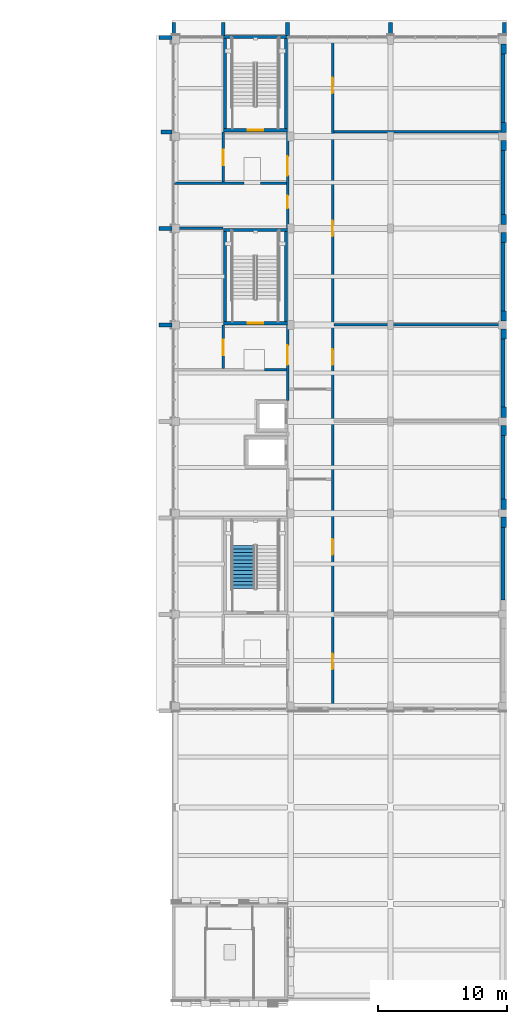
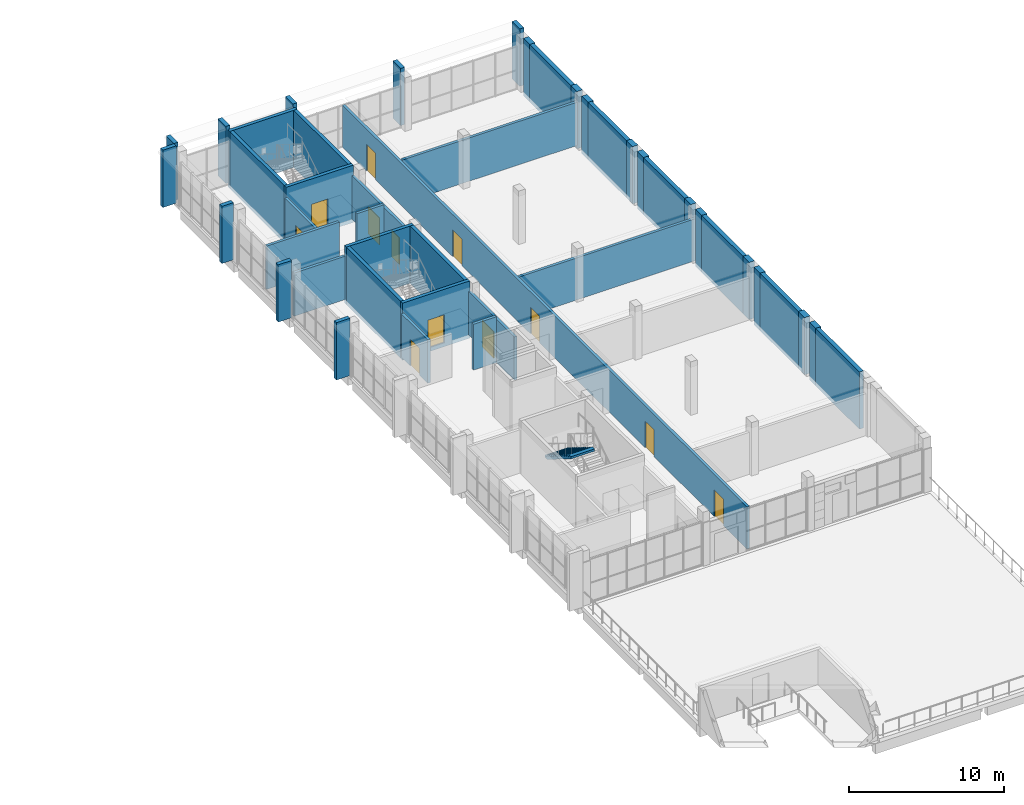
# One storey, part 30 of 42: 45 walls, 12 doors, 1 stair flight, 12 openings, 1 element without a shape of its own.
"""IFC4 building model written with IfcOpenShell, lengths in metres."""

from ifc_helpers import new_model, si_unit, direction, frame, frame_2d, origin, place, context, subcontext, project, spatial, polyline, rectangle, outline, extrude, material, layer, layer_set, type_object, element, fill, aggregate, save


model = new_model("IFC4")

# Units and contexts
model_context = context("Model", 3, precision=1e-05, world=origin(), true_north=direction((0.0, 1.0)))
body_context = subcontext(model_context, "Body", "Model", "MODEL_VIEW")
ifc_project = project(units=[si_unit("LENGTHUNIT", "METRE"), si_unit("AREAUNIT", "SQUARE_METRE"), si_unit("VOLUMEUNIT", "CUBIC_METRE"), si_unit("PLANEANGLEUNIT", "RADIAN"), si_unit("MASSUNIT", "GRAM", prefix="KILO")], contexts=[model_context])

# Site, building, storey
site_placement = place(None, origin())
site = spatial("IfcSite", under=ifc_project, at=site_placement, CompositionType="ELEMENT")
building_placement = place(site_placement, origin())
building = spatial("IfcBuilding", under=site, at=building_placement, Name="Sun Court Science Centre", CompositionType="ELEMENT")
storey_placement = place(building_placement, frame((0.0, 0.0, 20.25)))
storey = spatial("IfcBuildingStorey", under=building, at=storey_placement, Name="L04", CompositionType="ELEMENT", Elevation=20.25)

# Walls
ifc_material_1 = material(Name="Concrete C30/37", Category="concrete")
ifc_layer_1 = layer(ifc_material_1, 0.300048828125)
ifc_layer_set_1 = layer_set([ifc_layer_1], Name="Concrete C30/37")
wall_type_1 = type_object("IfcWallType", Name="Facade fin RC 300", PredefinedType="SOLIDWALL", material=ifc_layer_set_1)
for number, where, z_axis, x_axis, name in (
    (1, (77.0, 58.5, 0.0), (0.0, 0.0, 1.0), (1.0, 0.0, 0.0), "Facade fin 05 L04"),
    (2, (77.0, 66.0, 0.0), (0.0, 0.0, 1.0), (1.0, 0.0, 0.0), "Facade fin 06 L04"),
):
    element("IfcWall", number, at=place(storey_placement, frame(where, z_axis=z_axis, x_axis=x_axis)), inside=storey, type_object=wall_type_1, Name=name, PredefinedType="SOLIDWALL", context=body_context, shape_type="SweptSolid", body=[
        extrude(rectangle(XDim=1.0, YDim=0.300048828125, at=frame_2d((0.5, 0.0))), origin(), (0.0, 0.0, 1.0), 4.5),
    ])
wall_1_placement = place(storey_placement, frame((77.14990234375, 73.5, 0.0), z_axis=(0.0, 0.0, 1.0), x_axis=(1.0, 0.0, 0.0)))
element("IfcWall", 3, at=wall_1_placement, inside=storey, type_object=wall_type_1, Name="Facade fin 07 L04", PredefinedType="SOLIDWALL", context=body_context, shape_type="SweptSolid", body=[
    extrude(rectangle(XDim=0.85009765625, YDim=0.300048828125, at=frame_2d((0.425048828125, 0.0))), origin(), (0.0, 0.0, 1.0), 4.5),
])
for number, where, z_axis, x_axis, name in (
    (4, (77.0, 80.85009765625, 0.0), (0.0, 0.0, 1.0), (1.0, 0.0, 0.0), "Facade fin 08 L04"),
    (5, (78.14990234375, 81.0, 0.0), (0.0, 0.0, 1.0), (0.0, 1.0, 0.0), "Facade fin north 01 L04"),
    (6, (82.0, 81.0, 0.0), (0.0, 0.0, 1.0), (0.0, 1.0, 0.0), "Facade fin north 02 L04"),
    (7, (87.0, 81.0, 0.0), (0.0, 0.0, 1.0), (0.0, 1.0, 0.0), "Facade fin north 03 L04"),
    (8, (95.0, 81.0, 0.0), (0.0, 0.0, 1.0), (0.0, 1.0, 0.0), "Facade fin north 04 L04"),
    (9, (103.85009765625, 81.0, 0.0), (0.0, 0.0, 1.0), (0.0, 1.0, 0.0), "Facade fin north 05 L04"),
):
    element("IfcWall", number, at=place(storey_placement, frame(where, z_axis=z_axis, x_axis=x_axis)), inside=storey, type_object=wall_type_1, Name=name, PredefinedType="SOLIDWALL", context=body_context, shape_type="SweptSolid", body=[
        extrude(rectangle(XDim=1.0, YDim=0.300048828125, at=frame_2d((0.5, 0.0))), origin(), (0.0, 0.0, 1.0), 4.5),
    ])
ifc_material_2 = material(Name="Gypsum board")
ifc_layer_2 = layer(ifc_material_2, 0.199951171875)
ifc_layer_set_2 = layer_set([ifc_layer_2], Name="Gypsum board")
wall_type_2 = type_object("IfcWallType", Name="Partition 200 acoustic double stud", PredefinedType="PARTITIONING", material=ifc_layer_set_2)
wall_2_placement = place(storey_placement, frame((90.60009765625, 58.5, 0.0), z_axis=(0.0, 0.0, 1.0), x_axis=(1.0, 0.0, 0.0)))
element("IfcWall", 10, at=wall_2_placement, inside=storey, type_object=wall_type_2, Name="L04 partition 010", PredefinedType="PARTITIONING", context=body_context, shape_type="SweptSolid", body=[
    extrude(rectangle(XDim=13.199951171875, YDim=0.199951171875, at=frame_2d((6.60009765625, 0.0))), origin(), (0.0, 0.0, 1.0), 3.300048828125),
])
wall_3_placement = place(storey_placement, frame((90.60009765625, 73.5, 0.0), z_axis=(0.0, 0.0, 1.0), x_axis=(1.0, 0.0, 0.0)))
element("IfcWall", 11, at=wall_3_placement, inside=storey, type_object=wall_type_2, Name="L04 partition 014", PredefinedType="PARTITIONING", context=body_context, shape_type="SweptSolid", body=[
    extrude(rectangle(XDim=12.997802734375, YDim=0.199951171875, at=frame_2d((6.4990234375, 0.0))), origin(), (0.0, 0.0, 1.0), 3.39990234375),
])
ifc_material_3 = material(Name="Concrete block", Category="concrete")
ifc_layer_3 = layer(ifc_material_3, 0.199951171875)
ifc_layer_set_3 = layer_set([ifc_layer_3], Name="Concrete block")
wall_type_3 = type_object("IfcWallType", Name="Partition 200 block EI60", PredefinedType="PARTITIONING", material=ifc_layer_set_3)
wall_4_placement = place(storey_placement, frame((85.199951171875, 55.0, 0.0), z_axis=(0.0, 0.0, 1.0), x_axis=(1.0, 0.0, 0.0)))
element("IfcWall", 12, at=wall_4_placement, inside=storey, type_object=wall_type_3, Name="L04 partition 009", PredefinedType="PARTITIONING", context=body_context, shape_type="SweptSolid", body=[
    extrude(rectangle(XDim=1.699951171875, YDim=0.199951171875, at=frame_2d((0.85009765625, 0.0))), origin(), (0.0, 0.0, 1.0), 3.60009765625),
])
wall_5_placement = place(storey_placement, frame((78.199951171875, 69.5, 0.0), z_axis=(0.0, 0.0, 1.0), x_axis=(1.0, 0.0, 0.0)))
element("IfcWall", 13, at=wall_5_placement, inside=storey, type_object=wall_type_3, Name="L04 partition 012", PredefinedType="PARTITIONING", context=body_context, shape_type="SweptSolid", body=[
    extrude(rectangle(XDim=5.400146484375, YDim=0.199951171875, at=frame_2d((2.7001953125, 0.0))), origin(), (0.0, 0.0, 1.0), 3.39990234375),
])
wall_6_placement = place(storey_placement, frame((84.89990234375, 69.5, 0.0), z_axis=(0.0, 0.0, 1.0), x_axis=(1.0, 0.0, 0.0)))
element("IfcWall", 14, at=wall_6_placement, inside=storey, type_object=wall_type_3, Name="L04 partition 013", PredefinedType="PARTITIONING", context=body_context, shape_type="SweptSolid", body=[
    extrude(rectangle(XDim=2.0, YDim=0.199951171875, at=frame_2d((1.0, 0.0))), origin(), (0.0, 0.0, 1.0), 3.60009765625),
])

# Wall, opening, door
wall_7_placement = place(storey_placement, frame((82.0, 55.10009765625, 0.0), z_axis=(0.0, 0.0, 1.0), x_axis=(0.0, 1.0, 0.0)))
wall_7 = element("IfcWall", 15, at=wall_7_placement, inside=storey, type_object=wall_type_3, Name="L04 partition 022", PredefinedType="PARTITIONING", context=body_context, shape_type="SweptSolid", body=[
    extrude(rectangle(XDim=3.39794921875, YDim=0.199951171875, at=frame_2d((1.698974609375, 0.0))), origin(), (0.0, 0.0, 1.0), 3.39990234375),
])
opening_1_placement = place(wall_7_placement, frame((1.051025390625, 0.0, 0.0)))
opening_1 = element("IfcOpeningElement", 16, at=opening_1_placement, cuts=wall_7, Name="Opening D-L04-014", PredefinedType="OPENING", context=body_context, shape_type="SweptSolid", body=[
    extrude(rectangle(XDim=1.199951171875, YDim=2.10009765625, at=frame_2d((0.60009765625, 1.050048828125))), frame((0.0, 0.10986328125, 0.0), z_axis=(0.0, -1.0, 0.0), x_axis=(1.0, 0.0, 0.0)), (0.0, 0.0, 1.0), 0.219970703125),
])
ifc_material_4 = material(Name="Timber", Category="wood")
door_type_1 = type_object("IfcDoorType", Name="Door 1200x2100 single leaf", OperationType="NOTDEFINED", PredefinedType="DOOR", material=ifc_material_4)
door_1_placement = place(opening_1_placement, origin())
door_1 = element("IfcDoor", 17, at=door_1_placement, inside=storey, type_object=door_type_1, Name="Door D-L04-014", OperationType="SINGLE_SWING_RIGHT", OverallHeight=2.10009765625, OverallWidth=1.199951171875, PredefinedType="DOOR", context=body_context, shape_type="SweptSolid", body=[
    extrude(rectangle(XDim=1.199951171875, YDim=2.10009765625, at=frame_2d((0.60009765625, 1.050048828125))), frame((0.0, 0.02490234375, 0.0), z_axis=(0.0, -1.0, 0.0), x_axis=(1.0, 0.0, 0.0)), (0.0, 0.0, 1.0), 0.050048828125),
])
fill(opening_1, door_1)

wall_8_placement = place(storey_placement, frame((82.0, 69.60009765625, 0.0), z_axis=(0.0, 0.0, 1.0), x_axis=(0.0, 1.0, 0.0)))
wall_8 = element("IfcWall", 18, at=wall_8_placement, inside=storey, type_object=wall_type_3, Name="L04 partition 023", PredefinedType="PARTITIONING", context=body_context, shape_type="SweptSolid", body=[
    extrude(rectangle(XDim=3.89794921875, YDim=0.199951171875, at=frame_2d((1.948974609375, 0.0))), origin(), (0.0, 0.0, 1.0), 3.39990234375),
])
opening_2_placement = place(wall_8_placement, frame((1.301025390625, 0.0, 0.0)))
opening_2 = element("IfcOpeningElement", 19, at=opening_2_placement, cuts=wall_8, Name="Opening D-L04-016", PredefinedType="OPENING", context=body_context, shape_type="SweptSolid", body=[
    extrude(rectangle(XDim=1.199951171875, YDim=2.10009765625, at=frame_2d((0.60009765625, 1.050048828125))), frame((0.0, 0.10986328125, 0.0), z_axis=(0.0, -1.0, 0.0), x_axis=(1.0, 0.0, 0.0)), (0.0, 0.0, 1.0), 0.219970703125),
])
door_2_placement = place(opening_2_placement, origin())
door_2 = element("IfcDoor", 20, at=door_2_placement, inside=storey, type_object=door_type_1, Name="Door D-L04-016", OperationType="SINGLE_SWING_RIGHT", OverallHeight=2.10009765625, OverallWidth=1.199951171875, PredefinedType="DOOR", context=body_context, shape_type="SweptSolid", body=[
    extrude(rectangle(XDim=1.199951171875, YDim=2.10009765625, at=frame_2d((0.60009765625, 1.050048828125))), frame((0.0, 0.02490234375, 0.0), z_axis=(0.0, -1.0, 0.0), x_axis=(1.0, 0.0, 0.0)), (0.0, 0.0, 1.0), 0.050048828125),
])
fill(opening_2, door_2)

# Wall, openings, doors
ifc_material_5 = material(Name="Concrete block", Category="concrete")
ifc_layer_4 = layer(ifc_material_5, 0.199951171875)
ifc_layer_set_4 = layer_set([ifc_layer_4], Name="Concrete block")
wall_type_4 = type_object("IfcWallType", Name="Partition 200 corridor block EI120", PredefinedType="PARTITIONING", material=ifc_layer_set_4)
wall_9_placement = place(storey_placement, frame((90.5, 80.800048828125, 0.0), z_axis=(0.0, 0.0, 1.0), x_axis=(0.0, -1.0, 0.0)))
wall_9 = element("IfcWall", 21, at=wall_9_placement, inside=storey, type_object=wall_type_4, Name="L04 partition 015", PredefinedType="PARTITIONING", context=body_context, shape_type="SweptSolid", body=[
    extrude(rectangle(XDim=52.10009765625, YDim=0.199951171875, at=frame_2d((26.050048828125, 0.0))), origin(), (0.0, 0.0, 1.0), 3.300048828125),
])
opening_3_placement = place(wall_9_placement, frame((47.85009765625, 0.0, 0.0)))
opening_3 = element("IfcOpeningElement", 22, at=opening_3_placement, cuts=wall_9, Name="Opening D-L04-017", PredefinedType="OPENING", context=body_context, shape_type="SweptSolid", body=[
    extrude(rectangle(XDim=1.199951171875, YDim=2.10009765625, at=frame_2d((0.60009765625, 1.050048828125))), frame((0.0, 0.10986328125, 0.0), z_axis=(0.0, -1.0, 0.0), x_axis=(1.0, 0.0, 0.0)), (0.0, 0.0, 1.0), 0.219970703125),
])
opening_4_placement = place(wall_9_placement, frame((38.948974609375, 0.0, 0.0)))
opening_4 = element("IfcOpeningElement", 23, at=opening_4_placement, cuts=wall_9, Name="Opening D-L04-018", PredefinedType="OPENING", context=body_context, shape_type="SweptSolid", body=[
    extrude(rectangle(XDim=1.199951171875, YDim=2.10009765625, at=frame_2d((0.60009765625, 1.050048828125))), frame((0.0, 0.10986328125, 0.0), z_axis=(0.0, -1.0, 0.0), x_axis=(1.0, 0.0, 0.0)), (0.0, 0.0, 1.0), 0.219970703125),
])
opening_5_placement = place(wall_9_placement, frame((24.200927734375, 0.0, 0.0)))
opening_5 = element("IfcOpeningElement", 24, at=opening_5_placement, cuts=wall_9, Name="Opening D-L04-019", PredefinedType="OPENING", context=body_context, shape_type="SweptSolid", body=[
    extrude(rectangle(XDim=1.199951171875, YDim=2.10009765625, at=frame_2d((0.60009765625, 1.050048828125))), frame((0.0, 0.10986328125, 0.0), z_axis=(0.0, -1.0, 0.0), x_axis=(1.0, 0.0, 0.0)), (0.0, 0.0, 1.0), 0.219970703125),
])
opening_6_placement = place(wall_9_placement, frame((14.199951171875, 0.0, 0.0)))
opening_6 = element("IfcOpeningElement", 25, at=opening_6_placement, cuts=wall_9, Name="Opening D-L04-020", PredefinedType="OPENING", context=body_context, shape_type="SweptSolid", body=[
    extrude(rectangle(XDim=1.199951171875, YDim=2.10009765625, at=frame_2d((0.60009765625, 1.050048828125))), frame((0.0, 0.10986328125, 0.0), z_axis=(0.0, -1.0, 0.0), x_axis=(1.0, 0.0, 0.0)), (0.0, 0.0, 1.0), 0.219970703125),
])
opening_7_placement = place(wall_9_placement, frame((3.074951171875, 0.0, 0.0)))
opening_7 = element("IfcOpeningElement", 26, at=opening_7_placement, cuts=wall_9, Name="Opening D-L04-021", PredefinedType="OPENING", context=body_context, shape_type="SweptSolid", body=[
    extrude(rectangle(XDim=1.199951171875, YDim=2.10009765625, at=frame_2d((0.60009765625, 1.050048828125))), frame((0.0, 0.10986328125, 0.0), z_axis=(0.0, -1.0, 0.0), x_axis=(1.0, 0.0, 0.0)), (0.0, 0.0, 1.0), 0.219970703125),
])
ifc_material_6 = material(Name="Steel", Category="steel")
door_type_2 = type_object("IfcDoorType", Name="Door 1200x2100 single leaf FD60", OperationType="NOTDEFINED", PredefinedType="DOOR", material=ifc_material_6)
door_3_placement = place(opening_3_placement, origin())
door_3 = element("IfcDoor", 27, at=door_3_placement, inside=storey, type_object=door_type_2, Name="Door D-L04-017", OperationType="SINGLE_SWING_LEFT", OverallHeight=2.10009765625, OverallWidth=1.199951171875, PredefinedType="DOOR", context=body_context, shape_type="SweptSolid", body=[
    extrude(rectangle(XDim=1.199951171875, YDim=2.10009765625, at=frame_2d((0.60009765625, 1.050048828125))), frame((0.0, 0.02490234375, 0.0), z_axis=(0.0, -1.0, 0.0), x_axis=(1.0, 0.0, 0.0)), (0.0, 0.0, 1.0), 0.050048828125),
])
fill(opening_3, door_3)
door_4_placement = place(opening_4_placement, origin())
door_4 = element("IfcDoor", 28, at=door_4_placement, inside=storey, type_object=door_type_2, Name="Door D-L04-018", OperationType="SINGLE_SWING_LEFT", OverallHeight=2.10009765625, OverallWidth=1.199951171875, PredefinedType="DOOR", context=body_context, shape_type="SweptSolid", body=[
    extrude(rectangle(XDim=1.199951171875, YDim=2.10009765625, at=frame_2d((0.60009765625, 1.050048828125))), frame((0.0, 0.02490234375, 0.0), z_axis=(0.0, -1.0, 0.0), x_axis=(1.0, 0.0, 0.0)), (0.0, 0.0, 1.0), 0.050048828125),
])
fill(opening_4, door_4)
door_5_placement = place(opening_5_placement, origin())
door_5 = element("IfcDoor", 29, at=door_5_placement, inside=storey, type_object=door_type_2, Name="Door D-L04-019", OperationType="SINGLE_SWING_RIGHT", OverallHeight=2.10009765625, OverallWidth=1.199951171875, PredefinedType="DOOR", context=body_context, shape_type="SweptSolid", body=[
    extrude(rectangle(XDim=1.199951171875, YDim=2.10009765625, at=frame_2d((0.60009765625, 1.050048828125))), frame((0.0, 0.02490234375, 0.0), z_axis=(0.0, -1.0, 0.0), x_axis=(1.0, 0.0, 0.0)), (0.0, 0.0, 1.0), 0.050048828125),
])
fill(opening_5, door_5)
door_6_placement = place(opening_6_placement, origin())
door_6 = element("IfcDoor", 30, at=door_6_placement, inside=storey, type_object=door_type_2, Name="Door D-L04-020", OperationType="SINGLE_SWING_RIGHT", OverallHeight=2.10009765625, OverallWidth=1.199951171875, PredefinedType="DOOR", context=body_context, shape_type="SweptSolid", body=[
    extrude(rectangle(XDim=1.199951171875, YDim=2.10009765625, at=frame_2d((0.60009765625, 1.050048828125))), frame((0.0, 0.02490234375, 0.0), z_axis=(0.0, -1.0, 0.0), x_axis=(1.0, 0.0, 0.0)), (0.0, 0.0, 1.0), 0.050048828125),
])
fill(opening_6, door_6)
door_7_placement = place(opening_7_placement, origin())
door_7 = element("IfcDoor", 31, at=door_7_placement, inside=storey, type_object=door_type_2, Name="Door D-L04-021", OperationType="SINGLE_SWING_RIGHT", OverallHeight=2.10009765625, OverallWidth=1.199951171875, PredefinedType="DOOR", context=body_context, shape_type="SweptSolid", body=[
    extrude(rectangle(XDim=1.199951171875, YDim=2.10009765625, at=frame_2d((0.60009765625, 1.050048828125))), frame((0.0, 0.02490234375, 0.0), z_axis=(0.0, -1.0, 0.0), x_axis=(1.0, 0.0, 0.0)), (0.0, 0.0, 1.0), 0.050048828125),
])
fill(opening_7, door_7)

# Wall, opening, door
wall_10_placement = place(storey_placement, frame((87.0, 52.614501953125, 0.0), z_axis=(0.0, 0.0, 1.0), x_axis=(0.0, 1.0, 0.0)))
wall_10 = element("IfcWall", 32, at=wall_10_placement, inside=storey, type_object=wall_type_4, Name="L04 partition 019", PredefinedType="PARTITIONING", context=body_context, shape_type="SweptSolid", body=[
    extrude(rectangle(XDim=5.883544921875, YDim=0.199951171875, at=frame_2d((2.94189453125, 0.0))), origin(), (0.0, 0.0, 1.0), 3.39990234375),
])
opening_8_placement = place(wall_10_placement, frame((2.785400390625, 0.0, 0.0)))
opening_8 = element("IfcOpeningElement", 33, at=opening_8_placement, cuts=wall_10, Name="Opening D-L04-008", PredefinedType="OPENING", context=body_context, shape_type="SweptSolid", body=[
    extrude(rectangle(XDim=1.5, YDim=2.10009765625, at=frame_2d((0.75, 1.050048828125))), frame((0.0, 0.10986328125, 0.0), z_axis=(0.0, -1.0, 0.0), x_axis=(1.0, 0.0, 0.0)), (0.0, 0.0, 1.0), 0.219970703125),
])
ifc_material_7 = material(Name="Steel", Category="steel")
door_type_3 = type_object("IfcDoorType", Name="Door 1500x2100 double leaf FD60", OperationType="DOUBLE_DOOR_SINGLE_SWING", PredefinedType="DOOR", material=ifc_material_7)
door_8_placement = place(opening_8_placement, origin())
door_8 = element("IfcDoor", 34, at=door_8_placement, inside=storey, type_object=door_type_3, Name="Door D-L04-008", OperationType="DOUBLE_DOOR_SINGLE_SWING", OverallHeight=2.10009765625, OverallWidth=1.5, PredefinedType="DOOR", context=body_context, shape_type="SweptSolid", body=[
    extrude(rectangle(XDim=1.5, YDim=2.10009765625, at=frame_2d((0.75, 1.050048828125))), frame((0.0, 0.02490234375, 0.0), z_axis=(0.0, -1.0, 0.0), x_axis=(1.0, 0.0, 0.0)), (0.0, 0.0, 1.0), 0.050048828125),
])
fill(opening_8, door_8)

# Wall, openings, doors
wall_11_placement = place(storey_placement, frame((87.0, 66.001953125, 0.0), z_axis=(0.0, 0.0, 1.0), x_axis=(0.0, 1.0, 0.0)))
wall_11 = element("IfcWall", 35, at=wall_11_placement, inside=storey, type_object=wall_type_4, Name="L04 partition 020", PredefinedType="PARTITIONING", context=body_context, shape_type="SweptSolid", body=[
    extrude(rectangle(XDim=7.49609375, YDim=0.199951171875, at=frame_2d((3.748046875, 0.0))), origin(), (0.0, 0.0, 1.0), 3.39990234375),
])
opening_9_placement = place(wall_11_placement, frame((4.097900390625, 0.0, 0.0)))
opening_9 = element("IfcOpeningElement", 36, at=opening_9_placement, cuts=wall_11, Name="Opening D-L04-010", PredefinedType="OPENING", context=body_context, shape_type="SweptSolid", body=[
    extrude(rectangle(XDim=1.5, YDim=2.10009765625, at=frame_2d((0.75, 1.050048828125))), frame((0.0, 0.10986328125, 0.0), z_axis=(0.0, -1.0, 0.0), x_axis=(1.0, 0.0, 0.0)), (0.0, 0.0, 1.0), 0.219970703125),
])
opening_10_placement = place(wall_11_placement, frame((1.548095703125, 0.0, 0.0)))
opening_10 = element("IfcOpeningElement", 37, at=opening_10_placement, cuts=wall_11, Name="Opening D-L04-015", PredefinedType="OPENING", context=body_context, shape_type="SweptSolid", body=[
    extrude(rectangle(XDim=1.0, YDim=2.10009765625, at=frame_2d((0.5, 1.050048828125))), frame((0.0, 0.10986328125, 0.0), z_axis=(0.0, -1.0, 0.0), x_axis=(1.0, 0.0, 0.0)), (0.0, 0.0, 1.0), 0.219970703125),
])
ifc_material_8 = material(Name="Steel", Category="steel")
door_type_4 = type_object("IfcDoorType", Name="Door 1000x2100 single leaf FD30S", OperationType="NOTDEFINED", PredefinedType="DOOR", material=ifc_material_8)
door_9_placement = place(opening_10_placement, origin())
door_9 = element("IfcDoor", 38, at=door_9_placement, inside=storey, type_object=door_type_4, Name="Door D-L04-015", OperationType="SINGLE_SWING_RIGHT", OverallHeight=2.10009765625, OverallWidth=1.0, PredefinedType="DOOR", context=body_context, shape_type="SweptSolid", body=[
    extrude(rectangle(XDim=1.0, YDim=2.10009765625, at=frame_2d((0.5, 1.050048828125))), frame((0.0, 0.02490234375, 0.0), z_axis=(0.0, -1.0, 0.0), x_axis=(1.0, 0.0, 0.0)), (0.0, 0.0, 1.0), 0.050048828125),
])
fill(opening_10, door_9)
door_10_placement = place(opening_9_placement, origin())
door_10 = element("IfcDoor", 39, at=door_10_placement, inside=storey, type_object=door_type_3, Name="Door D-L04-010", OperationType="DOUBLE_DOOR_SINGLE_SWING", OverallHeight=2.10009765625, OverallWidth=1.5, PredefinedType="DOOR", context=body_context, shape_type="SweptSolid", body=[
    extrude(rectangle(XDim=1.5, YDim=2.10009765625, at=frame_2d((0.75, 1.050048828125))), frame((0.0, 0.02490234375, 0.0), z_axis=(0.0, -1.0, 0.0), x_axis=(1.0, 0.0, 0.0)), (0.0, 0.0, 1.0), 0.050048828125),
])
fill(opening_9, door_10)

# Walls
ifc_material_9 = material(Name="Gypsum board")
ifc_layer_5 = layer(ifc_material_9, 0.199951171875)
ifc_layer_set_5 = layer_set([ifc_layer_5], Name="Gypsum board")
wall_type_5 = type_object("IfcWallType", Name="Partition 200 stud EI30", PredefinedType="PARTITIONING", material=ifc_layer_set_5)
wall_12_placement = place(storey_placement, frame((78.199951171875, 66.0, 0.0), z_axis=(0.0, 0.0, 1.0), x_axis=(1.0, 0.0, 0.0)))
element("IfcWall", 40, at=wall_12_placement, inside=storey, type_object=wall_type_5, Name="L04 partition 011", PredefinedType="PARTITIONING", context=body_context, shape_type="SweptSolid", body=[
    extrude(rectangle(XDim=3.798095703125, YDim=0.199951171875, at=frame_2d((1.89892578125, 0.0))), origin(), (0.0, 0.0, 1.0), 3.39990234375),
])
ifc_material_10 = material(Name="Concrete C30/37", Category="concrete")
ifc_layer_6 = layer(ifc_material_10, 0.39990234375)
ifc_layer_set_6 = layer_set([ifc_layer_6], Name="Concrete C30/37")
wall_type_6 = type_object("IfcWallType", Name="RC party wall exterior 400", PredefinedType="SOLIDWALL", material=ifc_layer_set_6)
for number, where, z_axis, x_axis, name in (
    (41, (103.800048828125, 42.75, -0.300048828125), (0.0, 0.0, 1.0), (0.0, 1.0, 0.0), "East party wall L04"),
    (42, (103.800048828125, 44.14990234375, -0.300048828125), (0.0, 0.0, 1.0), (0.0, 1.0, 0.0), "East party wall L04"),
    (43, (103.800048828125, 49.89990234375, -0.300048828125), (0.0, 0.0, 1.0), (0.0, 1.0, 0.0), "East party wall L04"),
    (44, (103.800048828125, 51.300048828125, -0.300048828125), (0.0, 0.0, 1.0), (0.0, 1.0, 0.0), "East party wall L04"),
    (45, (103.800048828125, 57.39990234375, -0.300048828125), (0.0, 0.0, 1.0), (0.0, 1.0, 0.0), "East party wall L04"),
    (46, (103.800048828125, 58.800048828125, -0.300048828125), (0.0, 0.0, 1.0), (0.0, 1.0, 0.0), "East party wall L04"),
    (47, (103.800048828125, 64.89990234375, -0.300048828125), (0.0, 0.0, 1.0), (0.0, 1.0, 0.0), "East party wall L04"),
    (48, (103.800048828125, 66.300048828125, -0.300048828125), (0.0, 0.0, 1.0), (0.0, 1.0, 0.0), "East party wall L04"),
    (49, (103.800048828125, 72.050048828125, -0.300048828125), (0.0, 0.0, 1.0), (0.0, 1.0, 0.0), "East party wall L04"),
    (50, (103.800048828125, 73.449951171875, -0.300048828125), (0.0, 0.0, 1.0), (0.0, 1.0, 0.0), "East party wall L04"),
    (51, (103.800048828125, 79.550048828125, -0.300048828125), (0.0, 0.0, 1.0), (0.0, 1.0, 0.0), "East party wall L04"),
):
    element("IfcWall", number, at=place(storey_placement, frame(where, z_axis=z_axis, x_axis=x_axis)), inside=storey, type_object=wall_type_6, Name=name, PredefinedType="SOLIDWALL", context=body_context, shape_type="SweptSolid", body=[
        extrude(rectangle(XDim=0.800048828125, YDim=0.39990234375, at=frame_2d((0.39990234375, 0.0))), origin(), (0.0, 0.0, 1.0), 4.5),
    ])
ifc_material_11 = material(Name="Concrete C30/37", Category="concrete")
ifc_layer_7 = layer(ifc_material_11, 0.300048828125)
ifc_layer_set_7 = layer_set([ifc_layer_7], Name="Concrete C30/37")
wall_type_7 = type_object("IfcWallType", Name="RC party wall panel exterior 300", PredefinedType="SOLIDWALL", material=ifc_layer_set_7)
wall_13_placement = place(storey_placement, frame((103.75, 37.10009765625, -0.300048828125), z_axis=(0.0, 0.0, 1.0), x_axis=(0.0, 1.0, 0.0)))
element("IfcWall", 52, at=wall_13_placement, inside=storey, type_object=wall_type_7, Name="East party wall L04 panel", PredefinedType="SOLIDWALL", context=body_context, shape_type="SweptSolid", body=[
    extrude(rectangle(XDim=5.64990234375, YDim=0.300048828125, at=frame_2d((2.824951171875, 0.0))), origin(), (0.0, 0.0, 1.0), 4.5),
])
wall_14_placement = place(storey_placement, frame((103.75, 44.949951171875, -0.300048828125), z_axis=(0.0, 0.0, 1.0), x_axis=(0.0, 1.0, 0.0)))
element("IfcWall", 53, at=wall_14_placement, inside=storey, type_object=wall_type_7, Name="East party wall L04 panel", PredefinedType="SOLIDWALL", context=body_context, shape_type="SweptSolid", body=[
    extrude(rectangle(XDim=4.949951171875, YDim=0.300048828125, at=frame_2d((2.47509765625, 0.0))), origin(), (0.0, 0.0, 1.0), 4.5),
])
for number, where, z_axis, x_axis, name in (
    (54, (103.75, 52.10009765625, -0.300048828125), (0.0, 0.0, 1.0), (0.0, 1.0, 0.0), "East party wall L04 panel"),
    (55, (103.75, 59.60009765625, -0.300048828125), (0.0, 0.0, 1.0), (0.0, 1.0, 0.0), "East party wall L04 panel"),
):
    element("IfcWall", number, at=place(storey_placement, frame(where, z_axis=z_axis, x_axis=x_axis)), inside=storey, type_object=wall_type_7, Name=name, PredefinedType="SOLIDWALL", context=body_context, shape_type="SweptSolid", body=[
        extrude(rectangle(XDim=5.2998046875, YDim=0.300048828125, at=frame_2d((2.64990234375, 0.0))), origin(), (0.0, 0.0, 1.0), 4.5),
    ])
wall_15_placement = place(storey_placement, frame((103.75, 67.10009765625, -0.300048828125), z_axis=(0.0, 0.0, 1.0), x_axis=(0.0, 1.0, 0.0)))
element("IfcWall", 56, at=wall_15_placement, inside=storey, type_object=wall_type_7, Name="East party wall L04 panel", PredefinedType="SOLIDWALL", context=body_context, shape_type="SweptSolid", body=[
    extrude(rectangle(XDim=4.949951171875, YDim=0.300048828125, at=frame_2d((2.47509765625, 0.0))), origin(), (0.0, 0.0, 1.0), 4.5),
])
wall_16_placement = place(storey_placement, frame((103.75, 74.25, -0.300048828125), z_axis=(0.0, 0.0, 1.0), x_axis=(0.0, 1.0, 0.0)))
element("IfcWall", 57, at=wall_16_placement, inside=storey, type_object=wall_type_7, Name="East party wall L04 panel", PredefinedType="SOLIDWALL", context=body_context, shape_type="SweptSolid", body=[
    extrude(rectangle(XDim=5.300048828125, YDim=0.300048828125, at=frame_2d((2.64990234375, 0.0))), origin(), (0.0, 0.0, 1.0), 4.5),
])

# Wall, opening, door
ifc_material_12 = material(Name="Concrete C30/37", Category="concrete")
ifc_layer_8 = layer(ifc_material_12, 0.25)
ifc_layer_set_8 = layer_set([ifc_layer_8], Name="Concrete C30/37")
wall_type_8 = type_object("IfcWallType", Name="RC stair core wall 250", PredefinedType="SHEAR", material=ifc_layer_set_8)
wall_17_placement = place(storey_placement, frame((82.0, 58.625, -0.300048828125), z_axis=(0.0, 0.0, 1.0), x_axis=(1.0, 0.0, 0.0)))
wall_17 = element("IfcWall", 58, at=wall_17_placement, inside=storey, type_object=wall_type_8, Name="Stair core SL3 wall S, L04", PredefinedType="SHEAR", context=body_context, shape_type="SweptSolid", body=[
    extrude(rectangle(XDim=5.0, YDim=0.25, at=frame_2d((2.5, 0.0))), origin(), (0.0, 0.0, 1.0), 4.5),
])
opening_11_placement = place(wall_17_placement, frame((1.89990234375, 0.0, 0.300048828125)))
opening_11 = element("IfcOpeningElement", 59, at=opening_11_placement, cuts=wall_17, Name="Opening D-L04-007", PredefinedType="OPENING", context=body_context, shape_type="SweptSolid", body=[
    extrude(rectangle(XDim=1.199951171875, YDim=2.199951171875, at=frame_2d((0.60009765625, 1.10009765625))), frame((0.0, 0.135009765625, 0.0), z_axis=(0.0, -1.0, 0.0), x_axis=(1.0, 0.0, 0.0)), (0.0, 0.0, 1.0), 0.27001953125),
])
ifc_material_13 = material(Name="Steel", Category="steel")
door_type_5 = type_object("IfcDoorType", Name="Door 1200x2200 single leaf FD60", OperationType="NOTDEFINED", PredefinedType="DOOR", material=ifc_material_13)
door_11_placement = place(opening_11_placement, origin())
door_11 = element("IfcDoor", 60, at=door_11_placement, inside=storey, type_object=door_type_5, Name="Door D-L04-007", OperationType="SINGLE_SWING_LEFT", OverallHeight=2.199951171875, OverallWidth=1.199951171875, PredefinedType="DOOR", context=body_context, shape_type="SweptSolid", body=[
    extrude(rectangle(XDim=1.199951171875, YDim=2.199951171875, at=frame_2d((0.60009765625, 1.10009765625))), frame((0.0, 0.02490234375, 0.0), z_axis=(0.0, -1.0, 0.0), x_axis=(1.0, 0.0, 0.0)), (0.0, 0.0, 1.0), 0.050048828125),
])
fill(opening_11, door_11)

# Walls
wall_18_placement = place(storey_placement, frame((86.875, 58.75, -0.300048828125), z_axis=(0.0, 0.0, 1.0), x_axis=(0.0, 1.0, 0.0)))
element("IfcWall", 61, at=wall_18_placement, inside=storey, type_object=wall_type_8, Name="Stair core SL3 wall E, L04", PredefinedType="SHEAR", context=body_context, shape_type="SweptSolid", body=[
    extrude(rectangle(XDim=7.0, YDim=0.25, at=frame_2d((3.5, 0.0))), origin(), (0.0, 0.0, 1.0), 4.5),
])
wall_19_placement = place(storey_placement, frame((82.0, 65.875, -0.300048828125), z_axis=(0.0, 0.0, 1.0), x_axis=(1.0, 0.0, 0.0)))
element("IfcWall", 62, at=wall_19_placement, inside=storey, type_object=wall_type_8, Name="Stair core SL3 wall N, L04", PredefinedType="SHEAR", context=body_context, shape_type="SweptSolid", body=[
    extrude(rectangle(XDim=5.0, YDim=0.25, at=frame_2d((2.5, 0.0))), origin(), (0.0, 0.0, 1.0), 4.5),
])
wall_20_placement = place(storey_placement, frame((82.125, 58.75, -0.300048828125), z_axis=(0.0, 0.0, 1.0), x_axis=(0.0, 1.0, 0.0)))
element("IfcWall", 63, at=wall_20_placement, inside=storey, type_object=wall_type_8, Name="Stair core SL3 wall W, L04", PredefinedType="SHEAR", context=body_context, shape_type="SweptSolid", body=[
    extrude(rectangle(XDim=7.0, YDim=0.25, at=frame_2d((3.5, 0.0))), origin(), (0.0, 0.0, 1.0), 4.5),
])

# Wall, opening, door
wall_21_placement = place(storey_placement, frame((82.0, 73.625, -0.300048828125), z_axis=(0.0, 0.0, 1.0), x_axis=(1.0, 0.0, 0.0)))
wall_21 = element("IfcWall", 64, at=wall_21_placement, inside=storey, type_object=wall_type_8, Name="Stair core SL4 wall S, L04", PredefinedType="SHEAR", context=body_context, shape_type="SweptSolid", body=[
    extrude(rectangle(XDim=5.0, YDim=0.25, at=frame_2d((2.5, 0.0))), origin(), (0.0, 0.0, 1.0), 4.5),
])
opening_12_placement = place(wall_21_placement, frame((1.89990234375, 0.0, 0.300048828125)))
opening_12 = element("IfcOpeningElement", 65, at=opening_12_placement, cuts=wall_21, Name="Opening D-L04-009", PredefinedType="OPENING", context=body_context, shape_type="SweptSolid", body=[
    extrude(rectangle(XDim=1.199951171875, YDim=2.199951171875, at=frame_2d((0.60009765625, 1.10009765625))), frame((0.0, 0.135009765625, 0.0), z_axis=(0.0, -1.0, 0.0), x_axis=(1.0, 0.0, 0.0)), (0.0, 0.0, 1.0), 0.27001953125),
])
door_12_placement = place(opening_12_placement, origin())
door_12 = element("IfcDoor", 66, at=door_12_placement, inside=storey, type_object=door_type_5, Name="Door D-L04-009", OperationType="SINGLE_SWING_LEFT", OverallHeight=2.199951171875, OverallWidth=1.199951171875, PredefinedType="DOOR", context=body_context, shape_type="SweptSolid", body=[
    extrude(rectangle(XDim=1.199951171875, YDim=2.199951171875, at=frame_2d((0.60009765625, 1.10009765625))), frame((0.0, 0.02490234375, 0.0), z_axis=(0.0, -1.0, 0.0), x_axis=(1.0, 0.0, 0.0)), (0.0, 0.0, 1.0), 0.050048828125),
])
fill(opening_12, door_12)

# Walls
wall_22_placement = place(storey_placement, frame((86.875, 73.75, -0.300048828125), z_axis=(0.0, 0.0, 1.0), x_axis=(0.0, 1.0, 0.0)))
element("IfcWall", 67, at=wall_22_placement, inside=storey, type_object=wall_type_8, Name="Stair core SL4 wall E, L04", PredefinedType="SHEAR", context=body_context, shape_type="SweptSolid", body=[
    extrude(rectangle(XDim=7.0, YDim=0.25, at=frame_2d((3.5, 0.0))), origin(), (0.0, 0.0, 1.0), 4.5),
])
wall_23_placement = place(storey_placement, frame((82.0, 80.875, -0.300048828125), z_axis=(0.0, 0.0, 1.0), x_axis=(1.0, 0.0, 0.0)))
element("IfcWall", 68, at=wall_23_placement, inside=storey, type_object=wall_type_8, Name="Stair core SL4 wall N, L04", PredefinedType="SHEAR", context=body_context, shape_type="SweptSolid", body=[
    extrude(rectangle(XDim=5.0, YDim=0.25, at=frame_2d((2.5, 0.0))), origin(), (0.0, 0.0, 1.0), 4.5),
])
wall_24_placement = place(storey_placement, frame((82.125, 73.75, -0.300048828125), z_axis=(0.0, 0.0, 1.0), x_axis=(0.0, 1.0, 0.0)))
element("IfcWall", 69, at=wall_24_placement, inside=storey, type_object=wall_type_8, Name="Stair core SL4 wall W, L04", PredefinedType="SHEAR", context=body_context, shape_type="SweptSolid", body=[
    extrude(rectangle(XDim=7.0, YDim=0.25, at=frame_2d((3.5, 0.0))), origin(), (0.0, 0.0, 1.0), 4.5),
])

# Stair, stair flight
ifc_material_14 = material(Name="Concrete C25/30", Category="concrete")
stair_type = type_object("IfcStairType", Name="Stair 1500 enclosed half-turn", PredefinedType="HALF_TURN_STAIR", material=ifc_material_14)
stair_placement = place(storey_placement, origin())
stair = element("IfcStair", 70, at=stair_placement, inside=storey, type_object=stair_type, Name="L04 Stair SL2", PredefinedType="HALF_TURN_STAIR")
ifc_material_15 = material(Name="Concrete C25/30", Category="concrete")
stair_flight_type = type_object("IfcStairFlightType", Name="Stair flight 1500 with waist", PredefinedType="STRAIGHT", material=ifc_material_15)
stair_flight_placement = place(storey_placement, frame((83.551025390625, 41.35791015625, 2.25), z_axis=(0.0, 0.0, 1.0), x_axis=(0.0, -1.0, 0.0)))
stair_flight = element("IfcStairFlight", 71, at=stair_flight_placement, type_object=stair_flight_type, Name="SL2 flight 2", NumberOfRisers=13, NumberOfTreads=12, PredefinedType="STRAIGHT", RiserHeight=0.173076923, TreadLength=0.28, context=body_context, shape_type="SweptSolid", body=[
    extrude(outline(polyline([(0.0, 0.0), (0.0, 0.173095703125), (0.280029296875, 0.173095703125), (0.280029296875, 0.34619140625), (0.56005859375, 0.34619140625), (0.56005859375, 0.519287109375), (0.840087890625, 0.519287109375), (0.840087890625, 0.6923828125), (1.1201171875, 0.6923828125), (1.1201171875, 0.865478515625), (1.39990234375, 0.865478515625), (1.39990234375, 1.03857421875), (1.679931640625, 1.03857421875), (1.679931640625, 1.21142578125), (1.9599609375, 1.21142578125), (1.9599609375, 1.384521484375), (2.239990234375, 1.384521484375), (2.239990234375, 1.5576171875), (2.52001953125, 1.5576171875), (2.52001953125, 1.730712890625), (2.800048828125, 1.730712890625), (2.800048828125, 1.90380859375), (3.080078125, 1.90380859375), (3.080078125, 2.076904296875), (3.360107421875, 2.076904296875), (3.360107421875, 2.25), (3.360107421875, 1.900634765625), (0.28515625, 0.0), (0.0, 0.0)])), frame((0.0, 0.8740234375, 0.0), z_axis=(0.0, -1.0, 0.0), x_axis=(1.0, 0.0, 0.0)), (0.0, 0.0, 1.0), 1.748046875),
])
aggregate(stair, [stair_flight])

save(model, "model.ifc")
